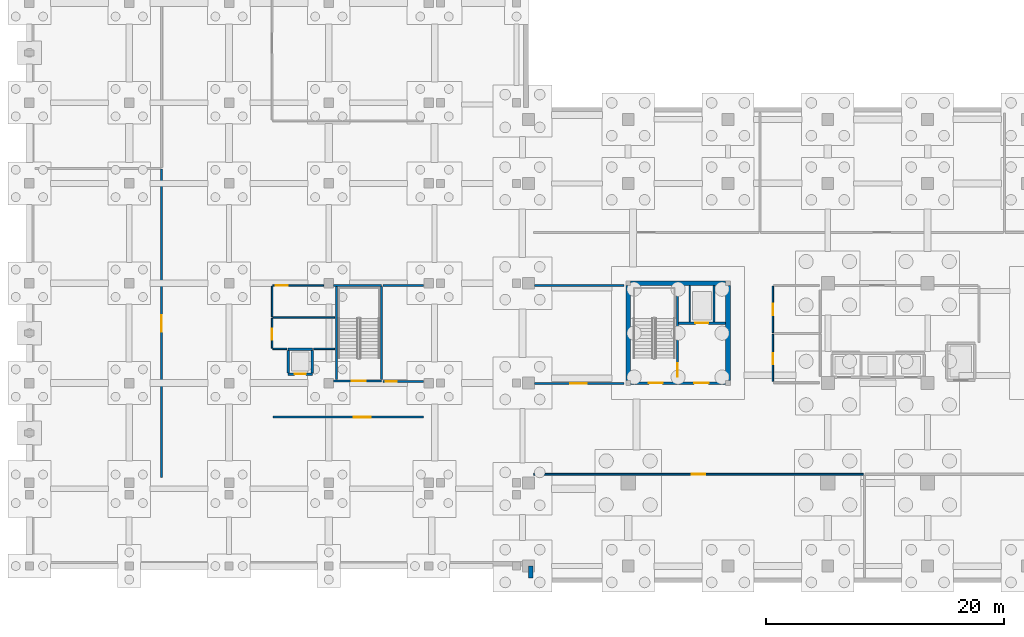
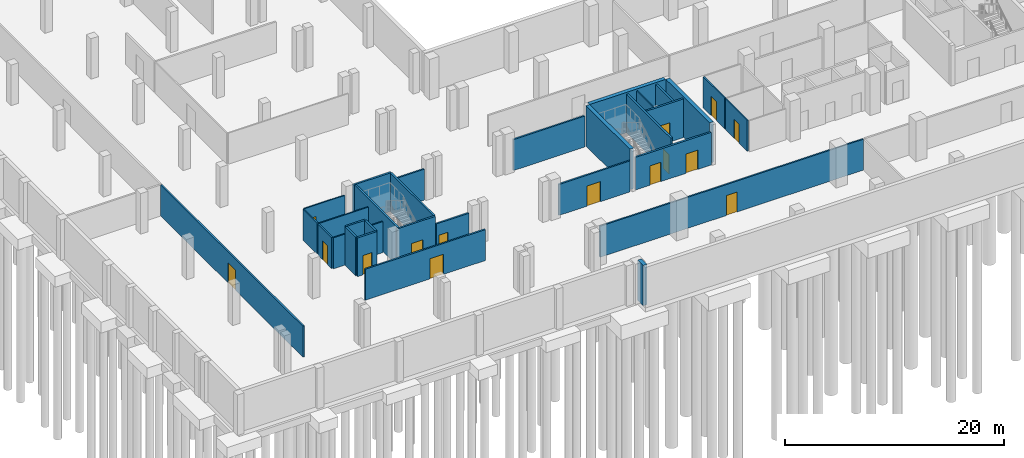
# One storey, part 10 of 17: 32 walls, 15 doors, 15 openings.
"""IFC4 building model written with IfcOpenShell, lengths in metres."""

from ifc_helpers import new_model, si_unit, direction, frame, frame_2d, origin, place, context, subcontext, project, spatial, rectangle, extrude, material, layer, layer_set, type_object, element, fill, save


model = new_model("IFC4")

# Units and contexts
model_context = context("Model", 3, precision=1e-05, world=origin(), true_north=direction((0.0, 1.0)))
body_context = subcontext(model_context, "Body", "Model", "MODEL_VIEW")
ifc_project = project(units=[si_unit("LENGTHUNIT", "METRE"), si_unit("AREAUNIT", "SQUARE_METRE"), si_unit("VOLUMEUNIT", "CUBIC_METRE"), si_unit("PLANEANGLEUNIT", "RADIAN"), si_unit("MASSUNIT", "GRAM", prefix="KILO")], contexts=[model_context])

# Site, building, storey
site_placement = place(None, origin())
site = spatial("IfcSite", under=ifc_project, at=site_placement, CompositionType="ELEMENT")
building_placement = place(site_placement, origin())
building = spatial("IfcBuilding", under=site, at=building_placement, Name="Telukmera Botanical Conservatory", CompositionType="ELEMENT")
storey_placement = place(building_placement, frame((0.0, 0.0, -4.5)))
storey = spatial("IfcBuildingStorey", under=building, at=storey_placement, Name="B1", CompositionType="ELEMENT", Elevation=-4.5)

# Wall, openings, doors
ifc_material_1 = material(Name="Concrete C40/50", Category="concrete")
ifc_layer_1 = layer(ifc_material_1, 0.199951171875)
ifc_layer_set_1 = layer_set([ifc_layer_1], Name="Concrete C40/50")
wall_type_1 = type_object("IfcWallType", Name="WT-CORE-200", PredefinedType="SOLIDWALL", material=ifc_layer_set_1)
wall_1_placement = place(storey_placement, frame((59.0, 26.0, 0.0), z_axis=(0.0, 0.0, 1.0), x_axis=(1.0, 0.0, 0.0)))
wall_1 = element("IfcWall", 1, at=wall_1_placement, inside=storey, type_object=wall_type_1, Name="B1 Core C1 South Fire Wall", PredefinedType="SOLIDWALL", context=body_context, shape_type="SweptSolid", body=[
    extrude(rectangle(XDim=8.0, YDim=0.199951171875, at=frame_2d((4.0, 0.0))), origin(), (0.0, 0.0, 1.0), 3.6298828125),
])
opening_1_placement = place(wall_1_placement, frame((1.550048828125, 0.0, 0.0)))
opening_1 = element("IfcOpeningElement", 2, at=opening_1_placement, cuts=wall_1, Name="Opening FD60A", PredefinedType="OPENING", context=body_context, shape_type="SweptSolid", body=[
    extrude(rectangle(XDim=1.14990234375, YDim=2.14990234375, at=frame_2d((0.574951171875, 1.074951171875))), frame((0.0, 0.10986328125, 0.0), z_axis=(0.0, -1.0, 0.0), x_axis=(1.0, 0.0, 0.0)), (0.0, 0.0, 1.0), 0.219970703125),
])
opening_2_placement = place(wall_1_placement, frame((5.35009765625, 0.0, 0.0)))
opening_2 = element("IfcOpeningElement", 3, at=opening_2_placement, cuts=wall_1, Name="Opening FD60C", PredefinedType="OPENING", context=body_context, shape_type="SweptSolid", body=[
    extrude(rectangle(XDim=1.219970703125, YDim=2.14990234375, at=frame_2d((0.60986328125, 1.074951171875))), frame((0.0, 0.10986328125, 0.0), z_axis=(0.0, -1.0, 0.0), x_axis=(1.0, 0.0, 0.0)), (0.0, 0.0, 1.0), 0.219970703125),
])
ifc_material_2 = material(Name="Hardwood fire door", Category="wood")
door_type_1 = type_object("IfcDoorType", Name="DT-FD60-01", OperationType="NOTDEFINED", PredefinedType="DOOR", material=ifc_material_2)
door_1_placement = place(opening_1_placement, origin())
door_1 = element("IfcDoor", 4, at=door_1_placement, inside=storey, type_object=door_type_1, Name="B1 Stair ST1 Escape Door", OperationType="SINGLE_SWING_LEFT", OverallHeight=2.14990234375, OverallWidth=1.14990234375, PredefinedType="DOOR", context=body_context, shape_type="SweptSolid", body=[
    extrude(rectangle(XDim=1.14990234375, YDim=2.14990234375, at=frame_2d((0.574951171875, 1.074951171875))), frame((0.0, 0.02490234375, 0.0), z_axis=(0.0, -1.0, 0.0), x_axis=(1.0, 0.0, 0.0)), (0.0, 0.0, 1.0), 0.050048828125),
])
fill(opening_1, door_1)
door_type_2 = type_object("IfcDoorType", Name="DT-FD60-03", OperationType="NOTDEFINED", PredefinedType="DOOR", material=ifc_material_2)
door_2_placement = place(opening_2_placement, origin())
door_2 = element("IfcDoor", 5, at=door_2_placement, inside=storey, type_object=door_type_2, Name="B1 Firefighting Lobby C1 Door", OperationType="SINGLE_SWING_RIGHT", OverallHeight=2.14990234375, OverallWidth=1.219970703125, PredefinedType="DOOR", context=body_context, shape_type="SweptSolid", body=[
    extrude(rectangle(XDim=1.219970703125, YDim=2.14990234375, at=frame_2d((0.60986328125, 1.074951171875))), frame((0.0, 0.02490234375, 0.0), z_axis=(0.0, -1.0, 0.0), x_axis=(1.0, 0.0, 0.0)), (0.0, 0.0, 1.0), 0.050048828125),
])
fill(opening_2, door_2)

# Wall, opening, door
wall_2_placement = place(storey_placement, frame((62.949951171875, 26.10009765625, 0.0), z_axis=(0.0, 0.0, 1.0), x_axis=(0.0, 1.0, 0.0)))
wall_2 = element("IfcWall", 6, at=wall_2_placement, inside=storey, type_object=wall_type_1, Name="B1 Core C1 Stair-Lobby Wall", PredefinedType="SOLIDWALL", context=body_context, shape_type="SweptSolid", body=[
    extrude(rectangle(XDim=8.099853515625, YDim=0.199951171875, at=frame_2d((4.0498046875, 0.0))), origin(), (0.0, 0.0, 1.0), 4.300048828125),
])
opening_3_placement = place(wall_2_placement, frame((0.449951171875, 0.0, 0.0)))
opening_3 = element("IfcOpeningElement", 7, at=opening_3_placement, cuts=wall_2, Name="Opening FD60B", PredefinedType="OPENING", context=body_context, shape_type="SweptSolid", body=[
    extrude(rectangle(XDim=1.1201171875, YDim=2.14990234375, at=frame_2d((0.56005859375, 1.074951171875))), frame((0.0, 0.10986328125, 0.0), z_axis=(0.0, -1.0, 0.0), x_axis=(1.0, 0.0, 0.0)), (0.0, 0.0, 1.0), 0.219970703125),
])
door_type_3 = type_object("IfcDoorType", Name="DT-FD60-02", OperationType="NOTDEFINED", PredefinedType="DOOR", material=ifc_material_2)
door_3_placement = place(opening_3_placement, origin())
door_3 = element("IfcDoor", 8, at=door_3_placement, inside=storey, type_object=door_type_3, Name="B1 Firefighting Lobby C1 to ST1 Door", OperationType="SINGLE_SWING_LEFT", OverallHeight=2.14990234375, OverallWidth=1.1201171875, PredefinedType="DOOR", context=body_context, shape_type="SweptSolid", body=[
    extrude(rectangle(XDim=1.1201171875, YDim=2.14990234375, at=frame_2d((0.56005859375, 1.074951171875))), frame((0.0, 0.02490234375, 0.0), z_axis=(0.0, -1.0, 0.0), x_axis=(1.0, 0.0, 0.0)), (0.0, 0.0, 1.0), 0.050048828125),
])
fill(opening_3, door_3)

wall_3_placement = place(storey_placement, frame((63.050048828125, 31.050048828125, 0.0), z_axis=(0.0, 0.0, 1.0), x_axis=(1.0, 0.0, 0.0)))
wall_3 = element("IfcWall", 9, at=wall_3_placement, inside=storey, type_object=wall_type_1, Name="B1 Fire Lift FL1 Shaft Front Wall", PredefinedType="SOLIDWALL", context=body_context, shape_type="SweptSolid", body=[
    extrude(rectangle(XDim=3.949951171875, YDim=0.199951171875, at=frame_2d((1.97509765625, 0.0))), origin(), (0.0, 0.0, 1.0), 4.300048828125),
])
opening_4_placement = place(wall_3_placement, frame((1.39990234375, 0.0, 0.0)))
opening_4 = element("IfcOpeningElement", 10, at=opening_4_placement, cuts=wall_3, Name="Opening LD01", PredefinedType="OPENING", context=body_context, shape_type="SweptSolid", body=[
    extrude(rectangle(XDim=1.10009765625, YDim=2.14990234375, at=frame_2d((0.550048828125, 1.074951171875))), frame((0.0, 0.10986328125, 0.0), z_axis=(0.0, -1.0, 0.0), x_axis=(1.0, 0.0, 0.0)), (0.0, 0.0, 1.0), 0.219970703125),
])
ifc_material_3 = material(Name="Stainless steel 316", Category="steel")
door_type_4 = type_object("IfcDoorType", Name="DT-LD01", OperationType="SLIDING_TO_LEFT", PredefinedType="DOOR", material=ifc_material_3)
door_4_placement = place(opening_4_placement, frame((1.10009765625, 0.0, 0.0), z_axis=(0.0, 0.0, 1.0), x_axis=(-1.0, 0.0, 0.0)))
door_4 = element("IfcDoor", 11, at=door_4_placement, inside=storey, type_object=door_type_4, Name="B1 Lift Landing Door FL1", OperationType="SLIDING_TO_LEFT", OverallHeight=2.14990234375, OverallWidth=1.10009765625, PredefinedType="DOOR", context=body_context, shape_type="SweptSolid", body=[
    extrude(rectangle(XDim=1.10009765625, YDim=2.14990234375, at=frame_2d((0.550048828125, 1.074951171875))), frame((0.0, 0.02490234375, 0.0), z_axis=(0.0, -1.0, 0.0), x_axis=(1.0, 0.0, 0.0)), (0.0, 0.0, 1.0), 0.050048828125),
])
fill(opening_4, door_4)

# Wall
wall_4_placement = place(storey_placement, frame((66.02001953125, 31.14990234375, 0.0), z_axis=(0.0, 0.0, 1.0), x_axis=(0.0, 1.0, 0.0)))
element("IfcWall", 12, at=wall_4_placement, inside=storey, type_object=wall_type_1, Name="B1 Fire Lift FL1 Shaft East Wall", PredefinedType="SOLIDWALL", context=body_context, shape_type="SweptSolid", body=[
    extrude(rectangle(XDim=3.050048828125, YDim=0.199951171875, at=frame_2d((1.52490234375, 0.0))), origin(), (0.0, 0.0, 1.0), 4.300048828125),
])

# Wall, opening, door
wall_5_placement = place(storey_placement, frame((30.179931640625, 26.75, 0.0), z_axis=(0.0, 0.0, 1.0), x_axis=(1.0, 0.0, 0.0)))
wall_5 = element("IfcWall", 13, at=wall_5_placement, inside=storey, type_object=wall_type_1, Name="B1 Lift VL1 Front Wall", PredefinedType="SOLIDWALL", context=body_context, shape_type="SweptSolid", body=[
    extrude(rectangle(XDim=2.0400390625, YDim=0.199951171875, at=frame_2d((1.02001953125, 0.0))), origin(), (0.0, 0.0, 1.0), 4.300048828125),
])
opening_5_placement = place(wall_5_placement, frame((0.544921875, 0.0, 0.0)))
opening_5 = element("IfcOpeningElement", 14, at=opening_5_placement, cuts=wall_5, Name="Opening LD04", PredefinedType="OPENING", context=body_context, shape_type="SweptSolid", body=[
    extrude(rectangle(XDim=0.949951171875, YDim=2.14990234375, at=frame_2d((0.47509765625, 1.074951171875))), frame((0.0, 0.10986328125, 0.0), z_axis=(0.0, -1.0, 0.0), x_axis=(1.0, 0.0, 0.0)), (0.0, 0.0, 1.0), 0.219970703125),
])
ifc_material_4 = material(Name="Anodised aluminium and glass", Category="aluminium")
door_type_5 = type_object("IfcDoorType", Name="DT-LD04", OperationType="SLIDING_TO_LEFT", PredefinedType="DOOR", material=ifc_material_4)
door_5_placement = place(opening_5_placement, frame((0.949951171875, 0.0, 0.0), z_axis=(0.0, 0.0, 1.0), x_axis=(-1.0, 0.0, 0.0)))
door_5 = element("IfcDoor", 15, at=door_5_placement, inside=storey, type_object=door_type_5, Name="B1 Lift Landing Door VL1", OperationType="SLIDING_TO_LEFT", OverallHeight=2.14990234375, OverallWidth=0.949951171875, PredefinedType="DOOR", context=body_context, shape_type="SweptSolid", body=[
    extrude(rectangle(XDim=0.949951171875, YDim=2.14990234375, at=frame_2d((0.47509765625, 1.074951171875))), frame((0.0, 0.02490234375, 0.0), z_axis=(0.0, -1.0, 0.0), x_axis=(1.0, 0.0, 0.0)), (0.0, 0.0, 1.0), 0.050048828125),
])
fill(opening_5, door_5)

# Walls
wall_6_placement = place(storey_placement, frame((30.179931640625, 28.85009765625, 0.0), z_axis=(0.0, 0.0, 1.0), x_axis=(1.0, 0.0, 0.0)))
element("IfcWall", 16, at=wall_6_placement, inside=storey, type_object=wall_type_1, Name="B1 Lift VL1 Rear Wall", PredefinedType="SOLIDWALL", context=body_context, shape_type="SweptSolid", body=[
    extrude(rectangle(XDim=2.0400390625, YDim=0.199951171875, at=frame_2d((1.02001953125, 0.0))), origin(), (0.0, 0.0, 1.0), 4.300048828125),
])
for number, where, z_axis, x_axis, name in (
    (17, (30.179931640625, 26.85009765625, 0.0), (0.0, 0.0, 1.0), (0.0, 1.0, 0.0), "B1 Lift VL1 W Wall"),
    (18, (32.219970703125, 26.85009765625, 0.0), (0.0, 0.0, 1.0), (0.0, 1.0, 0.0), "B1 Lift VL1 E Wall"),
):
    element("IfcWall", number, at=place(storey_placement, frame(where, z_axis=z_axis, x_axis=x_axis)), inside=storey, type_object=wall_type_1, Name=name, PredefinedType="SOLIDWALL", context=body_context, shape_type="SweptSolid", body=[
        extrude(rectangle(XDim=1.89990234375, YDim=0.199951171875, at=frame_2d((0.949951171875, 0.0))), origin(), (0.0, 0.0, 1.0), 4.300048828125),
    ])

# Wall, opening, door
ifc_material_5 = material(Name="Gypsum acoustic stud partition")
ifc_layer_2 = layer(ifc_material_5, 0.159912109375)
ifc_layer_set_2 = layer_set([ifc_layer_2], Name="Gypsum acoustic stud partition")
wall_type_2 = type_object("IfcWallType", Name="WT-LAB-160", PredefinedType="PARTITIONING", material=ifc_layer_set_2)
wall_7_placement = place(storey_placement, frame((50.85009765625, 18.324951171875, 0.0), z_axis=(0.0, 0.0, 1.0), x_axis=(1.0, 0.0, 0.0)))
wall_7 = element("IfcWall", 19, at=wall_7_placement, inside=storey, type_object=wall_type_2, Name="B1 Interior Partition 27", PredefinedType="PARTITIONING", context=body_context, shape_type="SweptSolid", body=[
    extrude(rectangle(XDim=27.75, YDim=0.159912109375, at=frame_2d((13.875, 0.0))), origin(), (0.0, 0.0, 1.0), 3.449951171875),
])
opening_6_placement = place(wall_7_placement, frame((13.304931640625, 0.0, 0.0)))
opening_6 = element("IfcOpeningElement", 20, at=opening_6_placement, cuts=wall_7, Name="Opening ID10", PredefinedType="OPENING", context=body_context, shape_type="SweptSolid", body=[
    extrude(rectangle(XDim=1.139892578125, YDim=2.219970703125, at=frame_2d((0.56982421875, 1.10986328125))), frame((0.0, 0.08984375, 0.0), z_axis=(0.0, -1.0, 0.0), x_axis=(1.0, 0.0, 0.0)), (0.0, 0.0, 1.0), 0.179931640625),
])
ifc_material_6 = material(Name="Sealed steel herbarium door", Category="steel")
door_type_6 = type_object("IfcDoorType", Name="DT-HERB-114", OperationType="NOTDEFINED", PredefinedType="DOOR", material=ifc_material_6)
door_6_placement = place(opening_6_placement, frame((1.139892578125, 0.0, 0.0), z_axis=(0.0, 0.0, 1.0), x_axis=(-1.0, 0.0, 0.0)))
door_6 = element("IfcDoor", 21, at=door_6_placement, inside=storey, type_object=door_type_6, Name="B1 Seed Bank Cryogenic Vault Door", OperationType="SINGLE_SWING_LEFT", OverallHeight=2.219970703125, OverallWidth=1.139892578125, PredefinedType="DOOR", context=body_context, shape_type="SweptSolid", body=[
    extrude(rectangle(XDim=1.139892578125, YDim=2.219970703125, at=frame_2d((0.56982421875, 1.10986328125))), frame((0.0, 0.02490234375, 0.0), z_axis=(0.0, -1.0, 0.0), x_axis=(1.0, 0.0, 0.0)), (0.0, 0.0, 1.0), 0.050048828125),
])
fill(opening_6, door_6)

ifc_material_7 = material(Name="Blockwork masonry", Category="masonry")
ifc_layer_3 = layer(ifc_material_7, 0.169921875)
ifc_layer_set_3 = layer_set([ifc_layer_3], Name="Blockwork masonry")
wall_type_3 = type_object("IfcWallType", Name="WT-PLANT-170", PredefinedType="PARTITIONING", material=ifc_layer_set_3)
wall_8_placement = place(storey_placement, frame((38.14990234375, 26.125, 0.0), z_axis=(0.0, 0.0, 1.0), x_axis=(1.0, 0.0, 0.0)))
wall_8 = element("IfcWall", 22, at=wall_8_placement, inside=storey, type_object=wall_type_3, Name="B1 Interior Partition 01", PredefinedType="PARTITIONING", context=body_context, shape_type="SweptSolid", body=[
    extrude(rectangle(XDim=3.420166015625, YDim=0.169921875, at=frame_2d((1.7099609375, 0.0))), origin(), (0.0, 0.0, 1.0), 3.449951171875),
])
opening_7_placement = place(wall_8_placement, frame((0.25, 0.0, 0.0)))
opening_7 = element("IfcOpeningElement", 23, at=opening_7_placement, cuts=wall_8, Name="Opening ID16", PredefinedType="OPENING", context=body_context, shape_type="SweptSolid", body=[
    extrude(rectangle(XDim=0.93994140625, YDim=2.10009765625, at=frame_2d((0.469970703125, 1.050048828125))), frame((0.0, 0.094970703125, 0.0), z_axis=(0.0, -1.0, 0.0), x_axis=(1.0, 0.0, 0.0)), (0.0, 0.0, 1.0), 0.18994140625),
])
ifc_material_8 = material(Name="Steel utility store fire door", Category="steel")
door_type_7 = type_object("IfcDoorType", Name="DT-STR-094", OperationType="NOTDEFINED", PredefinedType="DOOR", material=ifc_material_8)
door_7_placement = place(opening_7_placement, origin())
door_7 = element("IfcDoor", 24, at=door_7_placement, inside=storey, type_object=door_type_7, Name="B1 Cleaner Equipment Closet Door", OperationType="SINGLE_SWING_RIGHT", OverallHeight=2.10009765625, OverallWidth=0.93994140625, PredefinedType="DOOR", context=body_context, shape_type="SweptSolid", body=[
    extrude(rectangle(XDim=0.93994140625, YDim=2.10009765625, at=frame_2d((0.469970703125, 1.050048828125))), frame((0.0, 0.02490234375, 0.0), z_axis=(0.0, -1.0, 0.0), x_axis=(1.0, 0.0, 0.0)), (0.0, 0.0, 1.0), 0.050048828125),
])
fill(opening_7, door_7)

wall_9_placement = place(storey_placement, frame((28.89990234375, 23.125, 0.0), z_axis=(0.0, 0.0, 1.0), x_axis=(1.0, 0.0, 0.0)))
wall_9 = element("IfcWall", 25, at=wall_9_placement, inside=storey, type_object=wall_type_3, Name="B1 Interior Partition 02", PredefinedType="PARTITIONING", context=body_context, shape_type="SweptSolid", body=[
    extrude(rectangle(XDim=12.650146484375, YDim=0.169921875, at=frame_2d((6.3251953125, 0.0))), origin(), (0.0, 0.0, 1.0), 3.449951171875),
])
opening_8_placement = place(wall_9_placement, frame((6.8193359375, 0.0, 0.0)))
opening_8 = element("IfcOpeningElement", 26, at=opening_8_placement, cuts=wall_9, Name="Opening ID05", PredefinedType="OPENING", context=body_context, shape_type="SweptSolid", body=[
    extrude(rectangle(XDim=1.39990234375, YDim=2.25, at=frame_2d((0.699951171875, 1.125))), frame((0.0, 0.094970703125, 0.0), z_axis=(0.0, -1.0, 0.0), x_axis=(1.0, 0.0, 0.0)), (0.0, 0.0, 1.0), 0.18994140625),
])
ifc_material_9 = material(Name="Louvred steel plant double door", Category="steel")
door_type_8 = type_object("IfcDoorType", Name="DT-PLANT-140", OperationType="NOTDEFINED", PredefinedType="DOOR", material=ifc_material_9)
door_8_placement = place(opening_8_placement, frame((1.39990234375, 0.0, 0.0), z_axis=(0.0, 0.0, 1.0), x_axis=(-1.0, 0.0, 0.0)))
door_8 = element("IfcDoor", 27, at=door_8_placement, inside=storey, type_object=door_type_8, Name="B1 Potable Water Booster Plant Door", OperationType="SINGLE_SWING_LEFT", OverallHeight=2.25, OverallWidth=1.39990234375, PredefinedType="DOOR", context=body_context, shape_type="SweptSolid", body=[
    extrude(rectangle(XDim=1.39990234375, YDim=2.25, at=frame_2d((0.699951171875, 1.125))), frame((0.0, 0.02490234375, 0.0), z_axis=(0.0, -1.0, 0.0), x_axis=(1.0, 0.0, 0.0)), (0.0, 0.0, 1.0), 0.050048828125),
])
fill(opening_8, door_8)

# Wall
wall_10_placement = place(storey_placement, frame((38.14990234375, 34.22509765625, 0.0), z_axis=(0.0, 0.0, 1.0), x_axis=(1.0, 0.0, 0.0)))
element("IfcWall", 28, at=wall_10_placement, inside=storey, type_object=wall_type_3, Name="B1 Interior Partition 07", PredefinedType="PARTITIONING", context=body_context, shape_type="SweptSolid", body=[
    extrude(rectangle(XDim=3.400146484375, YDim=0.169921875, at=frame_2d((1.7001953125, 0.0))), origin(), (0.0, 0.0, 1.0), 3.449951171875),
])

# Wall, opening, door
wall_11_placement = place(storey_placement, frame((19.52490234375, 18.050048828125, 0.0), z_axis=(0.0, 0.0, 1.0), x_axis=(0.0, 1.0, 0.0)))
wall_11 = element("IfcWall", 29, at=wall_11_placement, inside=storey, type_object=wall_type_3, Name="B1 Interior Partition 10", PredefinedType="PARTITIONING", context=body_context, shape_type="SweptSolid", body=[
    extrude(rectangle(XDim=25.949951171875, YDim=0.169921875, at=frame_2d((12.97509765625, 0.0))), origin(), (0.0, 0.0, 1.0), 3.449951171875),
])
opening_9_placement = place(wall_11_placement, frame((12.27490234375, 0.0, 0.0)))
opening_9 = element("IfcOpeningElement", 30, at=opening_9_placement, cuts=wall_11, Name="Opening ID05", PredefinedType="OPENING", context=body_context, shape_type="SweptSolid", body=[
    extrude(rectangle(XDim=1.39990234375, YDim=2.25, at=frame_2d((0.699951171875, 1.125))), frame((0.0, 0.094970703125, 0.0), z_axis=(0.0, -1.0, 0.0), x_axis=(1.0, 0.0, 0.0)), (0.0, 0.0, 1.0), 0.18994140625),
])
door_9_placement = place(opening_9_placement, origin())
door_9 = element("IfcDoor", 31, at=door_9_placement, inside=storey, type_object=door_type_8, Name="B1 Rainwater Harvesting Tank Room Door", OperationType="SINGLE_SWING_LEFT", OverallHeight=2.25, OverallWidth=1.39990234375, PredefinedType="DOOR", context=body_context, shape_type="SweptSolid", body=[
    extrude(rectangle(XDim=1.39990234375, YDim=2.25, at=frame_2d((0.699951171875, 1.125))), frame((0.0, 0.02490234375, 0.0), z_axis=(0.0, -1.0, 0.0), x_axis=(1.0, 0.0, 0.0)), (0.0, 0.0, 1.0), 0.050048828125),
])
fill(opening_9, door_9)

wall_12_placement = place(storey_placement, frame((50.929931640625, 25.97509765625, 0.0), z_axis=(0.0, 0.0, 1.0), x_axis=(1.0, 0.0, 0.0)))
wall_12 = element("IfcWall", 32, at=wall_12_placement, inside=storey, type_object=wall_type_3, Name="B1 Interior Partition 23", PredefinedType="PARTITIONING", context=body_context, shape_type="SweptSolid", body=[
    extrude(rectangle(XDim=7.52001953125, YDim=0.169921875, at=frame_2d((3.760009765625, 0.0))), origin(), (0.0, 0.0, 1.0), 3.449951171875),
])
opening_10_placement = place(wall_12_placement, frame((2.984130859375, 0.0, 0.0)))
opening_10 = element("IfcOpeningElement", 33, at=opening_10_placement, cuts=wall_12, Name="Opening ID05", PredefinedType="OPENING", context=body_context, shape_type="SweptSolid", body=[
    extrude(rectangle(XDim=1.39990234375, YDim=2.25, at=frame_2d((0.699951171875, 1.125))), frame((0.0, 0.094970703125, 0.0), z_axis=(0.0, -1.0, 0.0), x_axis=(1.0, 0.0, 0.0)), (0.0, 0.0, 1.0), 0.18994140625),
])
door_10_placement = place(opening_10_placement, origin())
door_10 = element("IfcDoor", 34, at=door_10_placement, inside=storey, type_object=door_type_8, Name="B1 Standby Generator Plant Room Door", OperationType="SINGLE_SWING_LEFT", OverallHeight=2.25, OverallWidth=1.39990234375, PredefinedType="DOOR", context=body_context, shape_type="SweptSolid", body=[
    extrude(rectangle(XDim=1.39990234375, YDim=2.25, at=frame_2d((0.699951171875, 1.125))), frame((0.0, 0.02490234375, 0.0), z_axis=(0.0, -1.0, 0.0), x_axis=(1.0, 0.0, 0.0)), (0.0, 0.0, 1.0), 0.050048828125),
])
fill(opening_10, door_10)

# Walls
wall_13_placement = place(storey_placement, frame((50.929931640625, 34.22509765625, 0.0), z_axis=(0.0, 0.0, 1.0), x_axis=(1.0, 0.0, 0.0)))
element("IfcWall", 35, at=wall_13_placement, inside=storey, type_object=wall_type_3, Name="B1 Interior Partition 24", PredefinedType="PARTITIONING", context=body_context, shape_type="SweptSolid", body=[
    extrude(rectangle(XDim=7.52001953125, YDim=0.169921875, at=frame_2d((3.760009765625, 0.0))), origin(), (0.0, 0.0, 1.0), 3.449951171875),
])
ifc_material_10 = material(Name="Gypsum shaftwall liner")
ifc_layer_4 = layer(ifc_material_10, 0.110107421875)
ifc_layer_set_4 = layer_set([ifc_layer_4], Name="Gypsum shaftwall liner")
wall_type_4 = type_object("IfcWallType", Name="WT-RISER-110", PredefinedType="PARTITIONING", material=ifc_layer_set_4)
wall_14_placement = place(storey_placement, frame((63.97998046875, 31.14990234375, 0.0), z_axis=(0.0, 0.0, 1.0), x_axis=(0.0, 1.0, 0.0)))
element("IfcWall", 36, at=wall_14_placement, inside=storey, type_object=wall_type_4, Name="B1 Wet Riser C1 Shaft Wall", PredefinedType="PARTITIONING", context=body_context, shape_type="SweptSolid", body=[
    extrude(rectangle(XDim=3.050048828125, YDim=0.110107421875, at=frame_2d((1.52490234375, 0.0))), origin(), (0.0, 0.0, 1.0), 4.300048828125),
])

# Wall, opening, door
ifc_layer_5 = layer(ifc_material_1, 0.18994140625)
ifc_layer_set_5 = layer_set([ifc_layer_5], Name="Concrete C40/50")
wall_type_5 = type_object("IfcWallType", Name="WT-STAIR-190", PredefinedType="SOLIDWALL", material=ifc_layer_set_5)
wall_15_placement = place(storey_placement, frame((34.0, 26.179931640625, 0.0), z_axis=(0.0, 0.0, 1.0), x_axis=(1.0, 0.0, 0.0)))
wall_15 = element("IfcWall", 37, at=wall_15_placement, inside=storey, type_object=wall_type_5, Name="B1 Stair ST3 South Wall", PredefinedType="SOLIDWALL", context=body_context, shape_type="SweptSolid", body=[
    extrude(rectangle(XDim=4.030029296875, YDim=0.18994140625, at=frame_2d((2.01513671875, 0.0))), origin(), (0.0, 0.0, 1.0), 4.300048828125),
])
opening_11_placement = place(wall_15_placement, frame((1.550048828125, 0.0, 0.0)))
opening_11 = element("IfcOpeningElement", 38, at=opening_11_placement, cuts=wall_15, Name="Opening FD60D", PredefinedType="OPENING", context=body_context, shape_type="SweptSolid", body=[
    extrude(rectangle(XDim=1.179931640625, YDim=2.14990234375, at=frame_2d((0.58984375, 1.074951171875))), frame((0.0, 0.10498046875, 0.0), z_axis=(0.0, -1.0, 0.0), x_axis=(1.0, 0.0, 0.0)), (0.0, 0.0, 1.0), 0.2099609375),
])
door_type_9 = type_object("IfcDoorType", Name="DT-FD60-04", OperationType="NOTDEFINED", PredefinedType="DOOR", material=ifc_material_2)
door_11_placement = place(opening_11_placement, origin())
door_11 = element("IfcDoor", 39, at=door_11_placement, inside=storey, type_object=door_type_9, Name="B1 Stair ST3 Escape Door", OperationType="SINGLE_SWING_LEFT", OverallHeight=2.14990234375, OverallWidth=1.179931640625, PredefinedType="DOOR", context=body_context, shape_type="SweptSolid", body=[
    extrude(rectangle(XDim=1.179931640625, YDim=2.14990234375, at=frame_2d((0.58984375, 1.074951171875))), frame((0.0, 0.02490234375, 0.0), z_axis=(0.0, -1.0, 0.0), x_axis=(1.0, 0.0, 0.0)), (0.0, 0.0, 1.0), 0.050048828125),
])
fill(opening_11, door_11)

# Walls
wall_16_placement = place(storey_placement, frame((34.0, 34.219970703125, 0.0), z_axis=(0.0, 0.0, 1.0), x_axis=(1.0, 0.0, 0.0)))
element("IfcWall", 40, at=wall_16_placement, inside=storey, type_object=wall_type_5, Name="B1 Stair ST3 North Wall", PredefinedType="SOLIDWALL", context=body_context, shape_type="SweptSolid", body=[
    extrude(rectangle(XDim=4.030029296875, YDim=0.18994140625, at=frame_2d((2.01513671875, 0.0))), origin(), (0.0, 0.0, 1.0), 4.300048828125),
])
for number, where, z_axis, x_axis, name in (
    (41, (34.25, 26.280029296875, 0.0), (0.0, 0.0, 1.0), (0.0, 1.0, 0.0), "B1 Stair ST3 W Wall"),
    (42, (38.030029296875, 26.280029296875, 0.0), (0.0, 0.0, 1.0), (0.0, 1.0, 0.0), "B1 Stair ST3 E Wall"),
):
    element("IfcWall", number, at=place(storey_placement, frame(where, z_axis=z_axis, x_axis=x_axis)), inside=storey, type_object=wall_type_5, Name=name, PredefinedType="SOLIDWALL", context=body_context, shape_type="SweptSolid", body=[
        extrude(rectangle(XDim=7.840087890625, YDim=0.18994140625, at=frame_2d((3.919921875, 0.0))), origin(), (0.0, 0.0, 1.0), 4.300048828125),
    ])
ifc_material_11 = material(Name="Moisture-resistant blockwork", Category="masonry")
ifc_layer_6 = layer(ifc_material_11, 0.135009765625)
ifc_layer_set_6 = layer_set([ifc_layer_6], Name="Moisture-resistant blockwork")
wall_type_6 = type_object("IfcWallType", Name="WT-WC-135", PredefinedType="PARTITIONING", material=ifc_layer_set_6)
wall_17_placement = place(storey_placement, frame((28.89990234375, 31.52490234375, 0.0), z_axis=(0.0, 0.0, 1.0), x_axis=(1.0, 0.0, 0.0)))
element("IfcWall", 43, at=wall_17_placement, inside=storey, type_object=wall_type_6, Name="B1 Interior Partition 03", PredefinedType="PARTITIONING", context=body_context, shape_type="SweptSolid", body=[
    extrude(rectangle(XDim=5.2001953125, YDim=0.135009765625, at=frame_2d((2.60009765625, 0.0))), origin(), (0.0, 0.0, 1.0), 3.449951171875),
])

# Wall, opening, door
wall_18_placement = place(storey_placement, frame((28.824951171875, 28.949951171875, 0.0), z_axis=(0.0, 0.0, 1.0), x_axis=(0.0, 1.0, 0.0)))
wall_18 = element("IfcWall", 44, at=wall_18_placement, inside=storey, type_object=wall_type_6, Name="B1 Interior Partition 04", PredefinedType="PARTITIONING", context=body_context, shape_type="SweptSolid", body=[
    extrude(rectangle(XDim=2.5, YDim=0.135009765625, at=frame_2d((1.25, 0.0))), origin(), (0.0, 0.0, 1.0), 3.449951171875),
])
opening_12_placement = place(wall_18_placement, frame((0.712890625, 0.0, 0.0)))
opening_12 = element("IfcOpeningElement", 45, at=opening_12_placement, cuts=wall_18, Name="Opening ID17", PredefinedType="OPENING", context=body_context, shape_type="SweptSolid", body=[
    extrude(rectangle(XDim=0.919921875, YDim=2.1201171875, at=frame_2d((0.4599609375, 1.06005859375))), frame((0.0, 0.077392578125, 0.0), z_axis=(0.0, -1.0, 0.0), x_axis=(1.0, 0.0, 0.0)), (0.0, 0.0, 1.0), 0.155029296875),
])
ifc_material_12 = material(Name="Moisture-resistant laminate WC door")
door_type_10 = type_object("IfcDoorType", Name="DT-WC-092", OperationType="NOTDEFINED", PredefinedType="DOOR", material=ifc_material_12)
door_12_placement = place(opening_12_placement, origin())
door_12 = element("IfcDoor", 46, at=door_12_placement, inside=storey, type_object=door_type_10, Name="B1 Public WC Door", OperationType="SINGLE_SWING_RIGHT", OverallHeight=2.1201171875, OverallWidth=0.919921875, PredefinedType="DOOR", context=body_context, shape_type="SweptSolid", body=[
    extrude(rectangle(XDim=0.919921875, YDim=2.1201171875, at=frame_2d((0.4599609375, 1.06005859375))), frame((0.0, 0.02490234375, 0.0), z_axis=(0.0, -1.0, 0.0), x_axis=(1.0, 0.0, 0.0)), (0.0, 0.0, 1.0), 0.050048828125),
])
fill(opening_12, door_12)

# Wall
wall_19_placement = place(storey_placement, frame((28.824951171875, 31.60009765625, 0.0), z_axis=(0.0, 0.0, 1.0), x_axis=(0.0, 1.0, 0.0)))
element("IfcWall", 47, at=wall_19_placement, inside=storey, type_object=wall_type_6, Name="B1 Interior Partition 05", PredefinedType="PARTITIONING", context=body_context, shape_type="SweptSolid", body=[
    extrude(rectangle(XDim=2.5498046875, YDim=0.135009765625, at=frame_2d((1.27490234375, 0.0))), origin(), (0.0, 0.0, 1.0), 3.449951171875),
])

# Wall, opening, door
wall_20_placement = place(storey_placement, frame((28.89990234375, 34.22509765625, 0.0), z_axis=(0.0, 0.0, 1.0), x_axis=(1.0, 0.0, 0.0)))
wall_20 = element("IfcWall", 48, at=wall_20_placement, inside=storey, type_object=wall_type_6, Name="B1 Interior Partition 06", PredefinedType="PARTITIONING", context=body_context, shape_type="SweptSolid", body=[
    extrude(rectangle(XDim=4.27001953125, YDim=0.135009765625, at=frame_2d((2.135009765625, 0.0))), origin(), (0.0, 0.0, 1.0), 3.449951171875),
])
opening_13_placement = place(wall_20_placement, frame((0.25, 0.0, 0.0)))
opening_13 = element("IfcOpeningElement", 49, at=opening_13_placement, cuts=wall_20, Name="Opening ID15", PredefinedType="OPENING", context=body_context, shape_type="SweptSolid", body=[
    extrude(rectangle(XDim=0.97998046875, YDim=2.14990234375, at=frame_2d((0.489990234375, 1.074951171875))), frame((0.0, 0.077392578125, 0.0), z_axis=(0.0, -1.0, 0.0), x_axis=(1.0, 0.0, 0.0)), (0.0, 0.0, 1.0), 0.155029296875),
])
ifc_material_13 = material(Name="Accessible sanitary laminate door")
door_type_11 = type_object("IfcDoorType", Name="DT-OKU-098", OperationType="NOTDEFINED", PredefinedType="DOOR", material=ifc_material_13)
door_13_placement = place(opening_13_placement, origin())
door_13 = element("IfcDoor", 50, at=door_13_placement, inside=storey, type_object=door_type_11, Name="B1 Accessible WC Door", OperationType="SINGLE_SWING_LEFT", OverallHeight=2.14990234375, OverallWidth=0.97998046875, PredefinedType="DOOR", context=body_context, shape_type="SweptSolid", body=[
    extrude(rectangle(XDim=0.97998046875, YDim=2.14990234375, at=frame_2d((0.489990234375, 1.074951171875))), frame((0.0, 0.02490234375, 0.0), z_axis=(0.0, -1.0, 0.0), x_axis=(1.0, 0.0, 0.0)), (0.0, 0.0, 1.0), 0.050048828125),
])
fill(opening_13, door_13)

wall_21_placement = place(storey_placement, frame((70.97509765625, 26.14990234375, 0.0), z_axis=(0.0, 0.0, 1.0), x_axis=(0.0, 1.0, 0.0)))
wall_21 = element("IfcWall", 51, at=wall_21_placement, inside=storey, type_object=wall_type_6, Name="B1 Interior Partition 15", PredefinedType="PARTITIONING", context=body_context, shape_type="SweptSolid", body=[
    extrude(rectangle(XDim=3.9501953125, YDim=0.135009765625, at=frame_2d((1.97509765625, 0.0))), origin(), (0.0, 0.0, 1.0), 3.449951171875),
])
opening_14_placement = place(wall_21_placement, frame((1.440673828125, 0.0, 0.0)))
opening_14 = element("IfcOpeningElement", 52, at=opening_14_placement, cuts=wall_21, Name="Opening ID17", PredefinedType="OPENING", context=body_context, shape_type="SweptSolid", body=[
    extrude(rectangle(XDim=0.919921875, YDim=2.1201171875, at=frame_2d((0.4599609375, 1.06005859375))), frame((0.0, 0.077392578125, 0.0), z_axis=(0.0, -1.0, 0.0), x_axis=(1.0, 0.0, 0.0)), (0.0, 0.0, 1.0), 0.155029296875),
])
door_14_placement = place(opening_14_placement, origin())
door_14 = element("IfcDoor", 53, at=door_14_placement, inside=storey, type_object=door_type_10, Name="B1 Public WC Door", OperationType="SINGLE_SWING_RIGHT", OverallHeight=2.1201171875, OverallWidth=0.919921875, PredefinedType="DOOR", context=body_context, shape_type="SweptSolid", body=[
    extrude(rectangle(XDim=0.919921875, YDim=2.1201171875, at=frame_2d((0.4599609375, 1.06005859375))), frame((0.0, 0.02490234375, 0.0), z_axis=(0.0, -1.0, 0.0), x_axis=(1.0, 0.0, 0.0)), (0.0, 0.0, 1.0), 0.050048828125),
])
fill(opening_14, door_14)

wall_22_placement = place(storey_placement, frame((70.97509765625, 30.25, 0.0), z_axis=(0.0, 0.0, 1.0), x_axis=(0.0, 1.0, 0.0)))
wall_22 = element("IfcWall", 54, at=wall_22_placement, inside=storey, type_object=wall_type_6, Name="B1 Interior Partition 16", PredefinedType="PARTITIONING", context=body_context, shape_type="SweptSolid", body=[
    extrude(rectangle(XDim=3.89990234375, YDim=0.135009765625, at=frame_2d((1.949951171875, 0.0))), origin(), (0.0, 0.0, 1.0), 3.449951171875),
])
opening_15_placement = place(wall_22_placement, frame((1.4599609375, 0.0, 0.0)))
opening_15 = element("IfcOpeningElement", 55, at=opening_15_placement, cuts=wall_22, Name="Opening ID15", PredefinedType="OPENING", context=body_context, shape_type="SweptSolid", body=[
    extrude(rectangle(XDim=0.97998046875, YDim=2.14990234375, at=frame_2d((0.489990234375, 1.074951171875))), frame((0.0, 0.077392578125, 0.0), z_axis=(0.0, -1.0, 0.0), x_axis=(1.0, 0.0, 0.0)), (0.0, 0.0, 1.0), 0.155029296875),
])
door_15_placement = place(opening_15_placement, origin())
door_15 = element("IfcDoor", 56, at=door_15_placement, inside=storey, type_object=door_type_11, Name="B1 Accessible WC Door", OperationType="SINGLE_SWING_LEFT", OverallHeight=2.14990234375, OverallWidth=0.97998046875, PredefinedType="DOOR", context=body_context, shape_type="SweptSolid", body=[
    extrude(rectangle(XDim=0.97998046875, YDim=2.14990234375, at=frame_2d((0.489990234375, 1.074951171875))), frame((0.0, 0.02490234375, 0.0), z_axis=(0.0, -1.0, 0.0), x_axis=(1.0, 0.0, 0.0)), (0.0, 0.0, 1.0), 0.050048828125),
])
fill(opening_15, door_15)

# Walls
wall_23_placement = place(storey_placement, frame((28.902587890625, 28.882568359375, 0.0), z_axis=(0.0, 0.0, 1.0), x_axis=(1.0, 0.0, 0.0)))
element("IfcWall", 57, at=wall_23_placement, inside=storey, type_object=wall_type_6, Name="B1 WC Enclosure Partition 01", PredefinedType="PARTITIONING", context=body_context, shape_type="SweptSolid", body=[
    extrude(rectangle(XDim=1.177490234375, YDim=0.135009765625, at=frame_2d((0.5888671875, 0.0))), origin(), (0.0, 0.0, 1.0), 3.449951171875),
])
wall_24_placement = place(storey_placement, frame((32.320068359375, 28.882568359375, 0.0), z_axis=(0.0, 0.0, 1.0), x_axis=(1.0, 0.0, 0.0)))
element("IfcWall", 58, at=wall_24_placement, inside=storey, type_object=wall_type_6, Name="B1 WC Enclosure Partition 02", PredefinedType="PARTITIONING", context=body_context, shape_type="SweptSolid", body=[
    extrude(rectangle(XDim=1.780029296875, YDim=0.135009765625, at=frame_2d((0.89013671875, 0.0))), origin(), (0.0, 0.0, 1.0), 3.449951171875),
])
ifc_material_14 = material(Name="Concrete C50/60", Category="concrete")
ifc_layer_7 = layer(ifc_material_14, 0.39990234375)
ifc_layer_set_7 = layer_set([ifc_layer_7], Name="Concrete C50/60")
wall_type_7 = type_object("IfcWallType", Name="Wall_CW1", PredefinedType="SHEAR", material=ifc_layer_set_7)
for number, where, z_axis, x_axis, name in (
    (59, (58.800048828125, 26.199951171875, 0.0), (0.0, 0.0, 1.0), (0.0, 1.0, 0.0), "Core C1 Shear Wall West B1"),
    (60, (67.199951171875, 26.199951171875, 0.0), (0.0, 0.0, 1.0), (0.0, 1.0, 0.0), "Core C1 Shear Wall East B1"),
    (61, (59.0, 34.39990234375, 0.0), (0.0, 0.0, 1.0), (1.0, 0.0, 0.0), "Core C1 Shear Wall North B1"),
):
    element("IfcWall", number, at=place(storey_placement, frame(where, z_axis=z_axis, x_axis=x_axis)), inside=storey, type_object=wall_type_7, Name=name, PredefinedType="SHEAR", context=body_context, shape_type="SweptSolid", body=[
        extrude(rectangle(XDim=8.0, YDim=0.39990234375, at=frame_2d((4.0, 0.0))), origin(), (0.0, 0.0, 1.0), 4.5),
    ])
ifc_layer_8 = layer(ifc_material_1, 0.39990234375)
ifc_layer_set_8 = layer_set([ifc_layer_8], Name="Concrete C40/50")
wall_type_8 = type_object("IfcWallType", Name="Wall_RW1", PredefinedType="USERDEFINED", material=ifc_layer_set_8)
wall_25_placement = place(storey_placement, frame((50.60009765625, 10.60009765625, 0.0), z_axis=(0.0, 0.0, 1.0), x_axis=(0.0, -1.0, 0.0)))
element("IfcWall", 62, at=wall_25_placement, inside=storey, type_object=wall_type_8, Name="Basement Perimeter Retaining Wall RW1-02", ObjectType="RETAININGWALL", PredefinedType="USERDEFINED", context=body_context, shape_type="SweptSolid", body=[
    extrude(rectangle(XDim=1.0, YDim=0.39990234375, at=frame_2d((0.5, 0.0))), origin(), (0.0, 0.0, 1.0), 4.5),
])

save(model, "model.ifc")
